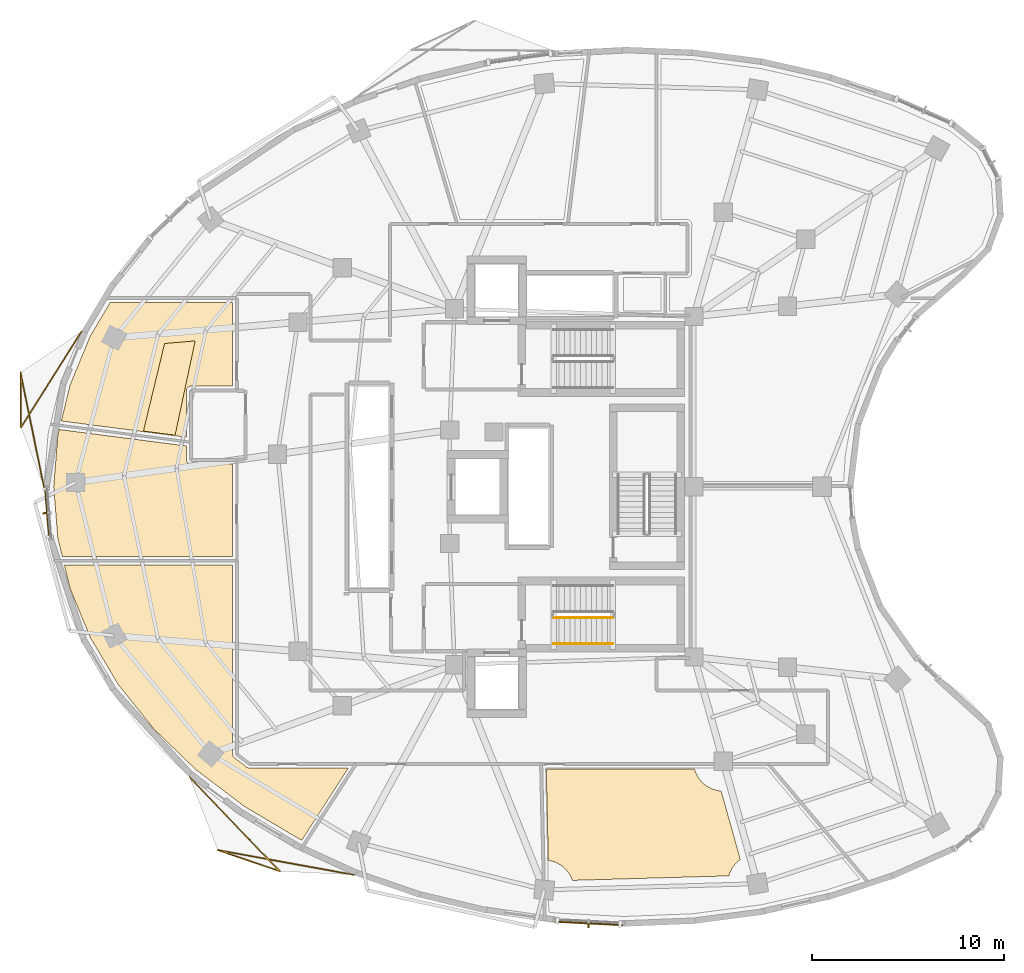
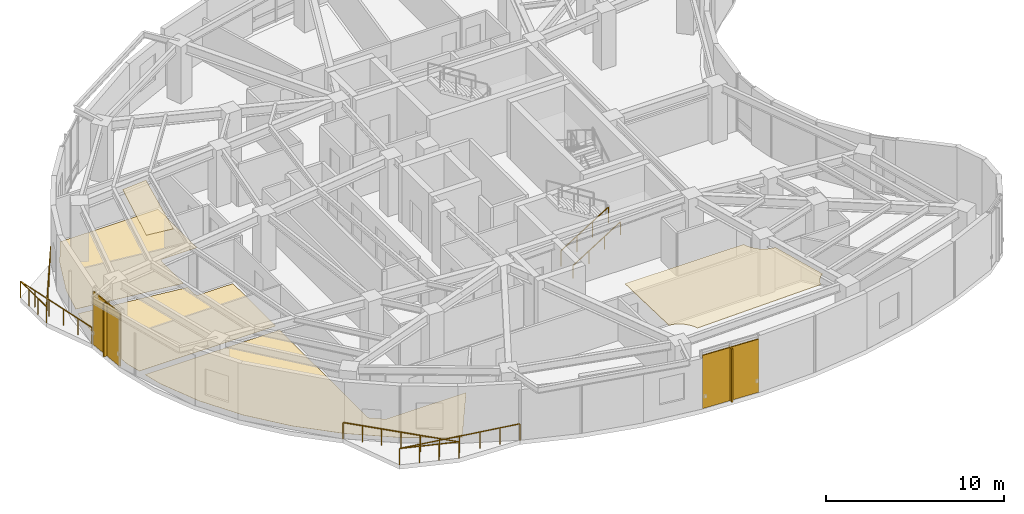
# One storey, part 13 of 15: 5 coverings, 4 railings, 4 shading devices.
"""IFC4 building model written with IfcOpenShell, lengths in metres."""

from ifc_helpers import new_model, si_unit, direction, frame, origin, origin_2d, place, context, subcontext, project, spatial, polyline, rectangle, outline, extrude, material, layer, layer_set, type_object, element, save


model = new_model("IFC4")

# Units and contexts
model_context = context("Model", 3, precision=1e-05, world=origin(), true_north=direction((0.0, 1.0)))
body_context = subcontext(model_context, "Body", "Model", "MODEL_VIEW")
ifc_project = project(units=[si_unit("LENGTHUNIT", "METRE"), si_unit("AREAUNIT", "SQUARE_METRE"), si_unit("VOLUMEUNIT", "CUBIC_METRE"), si_unit("PLANEANGLEUNIT", "RADIAN"), si_unit("MASSUNIT", "GRAM", prefix="KILO")], contexts=[model_context])

# Site, building, storey
site_placement = place(None, origin())
site = spatial("IfcSite", under=ifc_project, at=site_placement, CompositionType="ELEMENT")
building_placement = place(site_placement, origin())
building = spatial("IfcBuilding", under=site, at=building_placement, Name="Korentha Bioscience Tower", CompositionType="ELEMENT")
storey_placement = place(building_placement, frame((0.0, 0.0, 222.60009765625)))
storey = spatial("IfcBuildingStorey", under=building, at=storey_placement, Name="L51", CompositionType="ELEMENT", Elevation=222.60009765625)

# Railings
ifc_material_1 = material(Name="Stainless Steel 304", Category="steel")
railing_type_1 = type_object("IfcRailingType", Name="Brushed Stainless Stair Handrail 900", PredefinedType="HANDRAIL", material=ifc_material_1)
railing_1_placement = place(storey_placement, frame((30.25, 18.85009765625, 0.1748046875)))
element("IfcRailing", 1, at=railing_1_placement, inside=storey, type_object=railing_type_1, Name="L51 ST-2 stair handrail 1", PredefinedType="HANDRAIL", context=body_context, shape_type="SweptSolid", body=[
    extrude(rectangle(XDim=0.048095703125, YDim=0.048095703125, at=origin_2d()), frame((0.0, 0.0, 0.8759765625), z_axis=(0.847998304005, 0.0, 0.529998940003), x_axis=(0.0, 1.0, 0.0)), (0.0, 0.0, 1.0), 3.632080078125),
    extrude(rectangle(XDim=0.0419921875, YDim=0.0419921875, at=origin_2d()), origin(), (0.0, 0.0, 1.0), 0.851806640625),
    extrude(rectangle(XDim=0.0419921875, YDim=0.0419921875, at=origin_2d()), frame((1.026611328125, 0.0, 0.6416015625)), (0.0, 0.0, 1.0), 0.851806640625),
    extrude(rectangle(XDim=0.0419921875, YDim=0.0419921875, at=origin_2d()), frame((2.053466796875, 0.0, 1.283447265625)), (0.0, 0.0, 1.0), 0.851806640625),
    extrude(rectangle(XDim=0.0419921875, YDim=0.0419921875, at=origin_2d()), frame((3.080078125, 0.0, 1.925048828125)), (0.0, 0.0, 1.0), 0.851806640625),
])
ifc_material_2 = material(Name="Laminated Tempered Safety Glass", Category="glass")
railing_type_2 = type_object("IfcRailingType", Name="Laminated Glass Balcony Guardrail 1150", PredefinedType="BALUSTRADE", material=ifc_material_2)
railing_2_placement = place(storey_placement, frame((5.711181640625, 35.0625, 0.0)))
element("IfcRailing", 2, at=railing_2_placement, inside=storey, type_object=railing_type_2, Name="L51 Balcony Guardrail 02", PredefinedType="BALUSTRADE", context=body_context, shape_type="SweptSolid", body=[
    extrude(rectangle(XDim=0.048095703125, YDim=0.048095703125, at=origin_2d()), frame((0.0, 0.0, 1.1259765625), z_axis=(-0.533819879904, -0.845598211812, 0.0), x_axis=(0.845598211812, -0.533819879904, 0.0)), (0.0, 0.0, 1.0), 5.89013671875),
    extrude(rectangle(XDim=0.048095703125, YDim=0.048095703125, at=origin_2d()), frame((-3.144287109375, -4.980712890625, 1.1259765625), z_axis=(-0.008946472209, 0.999959979517, 0.0), x_axis=(-0.999959979517, -0.008946472209, 0.0)), (0.0, 0.0, 1.0), 2.865234375),
    extrude(rectangle(XDim=0.048095703125, YDim=0.048095703125, at=origin_2d()), frame((-3.169921875, -2.115478515625, 1.1259765625), z_axis=(0.200298844151, -0.97973484833, 0.0), x_axis=(0.97973484833, 0.200298844151, 0.0)), (0.0, 0.0, 1.0), 6.070068359375),
    extrude(rectangle(XDim=0.0419921875, YDim=0.0419921875, at=origin_2d()), origin(), (0.0, 0.0, 1.0), 1.101806640625),
    extrude(rectangle(XDim=0.0419921875, YDim=0.0419921875, at=origin_2d()), frame((-0.62890625, -0.99609375, 0.0)), (0.0, 0.0, 1.0), 1.101806640625),
    extrude(rectangle(XDim=0.0419921875, YDim=0.0419921875, at=origin_2d()), frame((-1.2578125, -1.9921875, 0.0)), (0.0, 0.0, 1.0), 1.101806640625),
    extrude(rectangle(XDim=0.0419921875, YDim=0.0419921875, at=origin_2d()), frame((-1.886474609375, -2.988525390625, 0.0)), (0.0, 0.0, 1.0), 1.101806640625),
    extrude(rectangle(XDim=0.0419921875, YDim=0.0419921875, at=origin_2d()), frame((-2.515380859375, -3.984619140625, 0.0)), (0.0, 0.0, 1.0), 1.101806640625),
    extrude(rectangle(XDim=0.0419921875, YDim=0.0419921875, at=origin_2d()), frame((-3.144287109375, -4.980712890625, 0.0)), (0.0, 0.0, 1.0), 1.101806640625),
    extrude(rectangle(XDim=0.0419921875, YDim=0.0419921875, at=origin_2d()), frame((-3.15283203125, -4.025634765625, 0.0)), (0.0, 0.0, 1.0), 1.101806640625),
    extrude(rectangle(XDim=0.0419921875, YDim=0.0419921875, at=origin_2d()), frame((-3.161376953125, -3.070556640625, 0.0)), (0.0, 0.0, 1.0), 1.101806640625),
    extrude(rectangle(XDim=0.0419921875, YDim=0.0419921875, at=origin_2d()), frame((-3.169921875, -2.115478515625, 0.0)), (0.0, 0.0, 1.0), 1.101806640625),
    extrude(rectangle(XDim=0.0419921875, YDim=0.0419921875, at=origin_2d()), frame((-2.9267578125, -3.304931640625, 0.0)), (0.0, 0.0, 1.0), 1.101806640625),
    extrude(rectangle(XDim=0.0419921875, YDim=0.0419921875, at=origin_2d()), frame((-2.68359375, -4.494384765625, 0.0)), (0.0, 0.0, 1.0), 1.101806640625),
    extrude(rectangle(XDim=0.0419921875, YDim=0.0419921875, at=origin_2d()), frame((-2.4404296875, -5.68359375, 0.0)), (0.0, 0.0, 1.0), 1.101806640625),
    extrude(rectangle(XDim=0.0419921875, YDim=0.0419921875, at=origin_2d()), frame((-2.197265625, -6.873046875, 0.0)), (0.0, 0.0, 1.0), 1.101806640625),
    extrude(rectangle(XDim=0.0419921875, YDim=0.0419921875, at=origin_2d()), frame((-1.9541015625, -8.0625, 0.0)), (0.0, 0.0, 1.0), 1.101806640625),
])
railing_3_placement = place(storey_placement, frame((11.322509765625, 11.912353515625, 0.0)))
element("IfcRailing", 3, at=railing_3_placement, inside=storey, type_object=railing_type_2, Name="L51 Balcony Guardrail 03", PredefinedType="BALUSTRADE", context=body_context, shape_type="SweptSolid", body=[
    extrude(rectangle(XDim=0.048095703125, YDim=0.048095703125, at=origin_2d()), frame((0.0, 0.0, 1.1259765625), z_axis=(0.691788854958, -0.72209984085, 0.0), x_axis=(0.72209984085, 0.691788854958, 0.0)), (0.0, 0.0, 1.0), 6.781982421875),
    extrude(rectangle(XDim=0.048095703125, YDim=0.048095703125, at=origin_2d()), frame((4.691650390625, -4.897216796875, 1.1259765625), z_axis=(-0.946245473075, 0.323449385043, 0.0), x_axis=(-0.323449385043, -0.946245473075, 0.0)), (0.0, 0.0, 1.0), 3.4033203125),
    extrude(rectangle(XDim=0.048095703125, YDim=0.048095703125, at=origin_2d()), frame((1.47119140625, -3.79638671875, 1.1259765625), z_axis=(0.983857413842, -0.178954153986, 0.0), x_axis=(0.178954153986, 0.983857413842, 0.0)), (0.0, 0.0, 1.0), 7.19091796875),
    extrude(rectangle(XDim=0.0419921875, YDim=0.0419921875, at=origin_2d()), origin(), (0.0, 0.0, 1.0), 1.101806640625),
    extrude(rectangle(XDim=0.0419921875, YDim=0.0419921875, at=origin_2d()), frame((0.781982421875, -0.816162109375, 0.0)), (0.0, 0.0, 1.0), 1.101806640625),
    extrude(rectangle(XDim=0.0419921875, YDim=0.0419921875, at=origin_2d()), frame((1.56396484375, -1.63232421875, 0.0)), (0.0, 0.0, 1.0), 1.101806640625),
    extrude(rectangle(XDim=0.0419921875, YDim=0.0419921875, at=origin_2d()), frame((2.345703125, -2.44873046875, 0.0)), (0.0, 0.0, 1.0), 1.101806640625),
    extrude(rectangle(XDim=0.0419921875, YDim=0.0419921875, at=origin_2d()), frame((3.127685546875, -3.264892578125, 0.0)), (0.0, 0.0, 1.0), 1.101806640625),
    extrude(rectangle(XDim=0.0419921875, YDim=0.0419921875, at=origin_2d()), frame((3.90966796875, -4.0810546875, 0.0)), (0.0, 0.0, 1.0), 1.101806640625),
    extrude(rectangle(XDim=0.0419921875, YDim=0.0419921875, at=origin_2d()), frame((4.691650390625, -4.897216796875, 0.0)), (0.0, 0.0, 1.0), 1.101806640625),
    extrude(rectangle(XDim=0.0419921875, YDim=0.0419921875, at=origin_2d()), frame((3.6181640625, -4.5302734375, 0.0)), (0.0, 0.0, 1.0), 1.101806640625),
    extrude(rectangle(XDim=0.0419921875, YDim=0.0419921875, at=origin_2d()), frame((2.544677734375, -4.163330078125, 0.0)), (0.0, 0.0, 1.0), 1.101806640625),
    extrude(rectangle(XDim=0.0419921875, YDim=0.0419921875, at=origin_2d()), frame((1.47119140625, -3.79638671875, 0.0)), (0.0, 0.0, 1.0), 1.101806640625),
    extrude(rectangle(XDim=0.0419921875, YDim=0.0419921875, at=origin_2d()), frame((2.650390625, -4.0107421875, 0.0)), (0.0, 0.0, 1.0), 1.101806640625),
    extrude(rectangle(XDim=0.0419921875, YDim=0.0419921875, at=origin_2d()), frame((3.82958984375, -4.225341796875, 0.0)), (0.0, 0.0, 1.0), 1.101806640625),
    extrude(rectangle(XDim=0.0419921875, YDim=0.0419921875, at=origin_2d()), frame((5.0087890625, -4.43994140625, 0.0)), (0.0, 0.0, 1.0), 1.101806640625),
    extrude(rectangle(XDim=0.0419921875, YDim=0.0419921875, at=origin_2d()), frame((6.187744140625, -4.654296875, 0.0)), (0.0, 0.0, 1.0), 1.101806640625),
    extrude(rectangle(XDim=0.0419921875, YDim=0.0419921875, at=origin_2d()), frame((7.366943359375, -4.86865234375, 0.0)), (0.0, 0.0, 1.0), 1.101806640625),
    extrude(rectangle(XDim=0.0419921875, YDim=0.0419921875, at=origin_2d()), frame((8.546142578125, -5.083251953125, 0.0)), (0.0, 0.0, 1.0), 1.101806640625),
])

# Coverings
ifc_material_3 = material(Name="Antimicrobial Mineral Fibre Board", Category="gypsum")
ifc_layer_1 = layer(ifc_material_3, 0.034912109375, Name="Antimicrobial Mineral Fibre Board")
ifc_layer_set_1 = layer_set([ifc_layer_1], Name="Antimicrobial Mineral Fibre Board (CL-MF35)")
covering_type_1 = type_object("IfcCoveringType", Name="Mineral-Fibre Cleanroom Suspended Ceiling 35", PredefinedType="CEILING", material=ifc_layer_set_1)
covering_1_placement = place(storey_placement, frame((0.0, 0.0, 3.864990234375)))
element("IfcCovering", 4, at=covering_1_placement, inside=storey, type_object=covering_type_1, Name="L51 Sterile Media Preparation Kitchen 05 Acoustic Ceiling", PredefinedType="CEILING", context=body_context, shape_type="SweptSolid", body=[
    extrude(outline(polyline([(39.953125, 7.632568359375), (39.7509765625, 7.464111328125), (39.55810546875, 7.22900390625), (39.414794921875, 6.961181640625), (39.352783203125, 6.774658203125), (31.2275390625, 6.540771484375), (31.126220703125, 6.779541015625), (31.048095703125, 6.909912109375), (30.855224609375, 7.144775390625), (30.74267578125, 7.2470703125), (30.620361328125, 7.337646484375), (30.3525390625, 7.480712890625), (30.209228515625, 7.531982421875), (29.97412109375, 7.58203125), (29.8671875, 12.340087890625), (37.568359375, 12.340087890625), (37.634521484375, 12.13720703125), (37.77783203125, 11.869140625), (37.970703125, 11.63427734375), (38.083251953125, 11.531982421875), (38.20556640625, 11.44140625), (38.473388671875, 11.29833984375), (38.76416015625, 11.210205078125), (38.958984375, 11.185546875), (39.953125, 7.632568359375)])), origin(), (0.0, 0.0, 1.0), 0.034912109375),
])
covering_2_placement = place(storey_placement, frame((0.0, 0.0, 3.864990234375)))
element("IfcCovering", 5, at=covering_2_placement, inside=storey, type_object=covering_type_1, Name="L51 Neurobiology Electrophysiology Lab 11 Acoustic Ceiling", PredefinedType="CEILING", context=body_context, shape_type="SweptSolid", body=[
    extrude(outline(polyline([(10.031982421875, 34.443359375), (11.621337890625, 34.578857421875), (10.577880859375, 29.6796875), (8.932861328125, 29.892578125), (10.031982421875, 34.443359375)])), origin(), (0.0, 0.0, 1.0), 0.034912109375),
])

# Railing
ifc_material_4 = material(Name="Painted Steel S275", Category="steel")
railing_type_3 = type_object("IfcRailingType", Name="Painted Steel Stair Well Guardrail 1100", PredefinedType="GUARDRAIL", material=ifc_material_4)
railing_4_placement = place(storey_placement, frame((30.25, 20.199951171875, 0.1748046875)))
element("IfcRailing", 6, at=railing_4_placement, inside=storey, type_object=railing_type_3, Name="L51 ST-2 stair guard 1", PredefinedType="GUARDRAIL", context=body_context, shape_type="SweptSolid", body=[
    extrude(rectangle(XDim=0.048095703125, YDim=0.048095703125, at=origin_2d()), frame((0.0, 0.0, 1.076171875), z_axis=(0.847998304005, 0.0, 0.529998940003), x_axis=(0.0, 1.0, 0.0)), (0.0, 0.0, 1.0), 3.632080078125),
    extrude(rectangle(XDim=0.0419921875, YDim=0.0419921875, at=origin_2d()), origin(), (0.0, 0.0, 1.0), 1.052001953125),
    extrude(rectangle(XDim=0.0419921875, YDim=0.0419921875, at=origin_2d()), frame((1.026611328125, 0.0, 0.6416015625)), (0.0, 0.0, 1.0), 1.052001953125),
    extrude(rectangle(XDim=0.0419921875, YDim=0.0419921875, at=origin_2d()), frame((2.053466796875, 0.0, 1.283447265625)), (0.0, 0.0, 1.0), 1.052001953125),
    extrude(rectangle(XDim=0.0419921875, YDim=0.0419921875, at=origin_2d()), frame((3.080078125, 0.0, 1.925048828125)), (0.0, 0.0, 1.0), 1.052001953125),
])

# Shading devices
ifc_material_5 = material(Name="Perforated Stone-Ceramic Composite", Category="masonry")
ifc_layer_2 = layer(ifc_material_5, 0.06494140625, Name="Perforated Stone-Ceramic Composite")
ifc_layer_set_2 = layer_set([ifc_layer_2], Name="Perforated Stone-Ceramic Composite (CS-01)")
shading_device_type_1 = type_object("IfcShadingDeviceType", Name="Perforated Stone-Ceramic Solar Screen Panel 65", PredefinedType="USERDEFINED", material=ifc_layer_set_2)
shading_device_1_placement = place(storey_placement, frame((3.926513671875, 25.634765625, 0.0), z_axis=(0.0, 0.0, 1.0), x_axis=(0.07974803224, -0.996815053736, 0.0)))
element("IfcShadingDevice", 7, at=shading_device_1_placement, inside=storey, type_object=shading_device_type_1, Name="CW-L51-19 Perforated Stone-Ceramic Solar Screen", ObjectType="SCREEN", PredefinedType="USERDEFINED", context=body_context, shape_type="SweptSolid", body=[
    extrude(rectangle(XDim=2.64892578125, YDim=0.06494140625, at=origin_2d()), origin(), (0.0, 0.0, 1.0), 3.64990234375),
])
shading_device_2_placement = place(storey_placement, frame((32.072998046875, 4.308837890625, 0.0), z_axis=(0.0, 0.0, 1.0), x_axis=(0.998695818107, -0.051055488397, 0.0)))
element("IfcShadingDevice", 8, at=shading_device_2_placement, inside=storey, type_object=shading_device_type_1, Name="CW-L51-31 Perforated Stone-Ceramic Solar Screen", ObjectType="SCREEN", PredefinedType="USERDEFINED", context=body_context, shape_type="SweptSolid", body=[
    extrude(rectangle(XDim=3.54541015625, YDim=0.06494140625, at=origin_2d()), origin(), (0.0, 0.0, 1.0), 3.64990234375),
])

# Coverings
ifc_material_6 = material(Name="Chemical-Resistant Epoxy Resin", Category="polymer")
ifc_layer_3 = layer(ifc_material_6, 0.011962890625, Name="Chemical-Resistant Epoxy Resin")
ifc_layer_set_3 = layer_set([ifc_layer_3], Name="Chemical-Resistant Epoxy Resin (FL-EPX)")
covering_type_2 = type_object("IfcCoveringType", Name="Seamless Epoxy Laboratory Flooring 12", PredefinedType="FLOORING", material=ifc_layer_set_3)
covering_3_placement = place(storey_placement, origin())
element("IfcCovering", 9, at=covering_3_placement, inside=storey, type_object=covering_type_2, Name="L51 Principal Investigator Office 01 Floor Finish", PredefinedType="FLOORING", context=body_context, shape_type="SweptSolid", body=[
    extrude(outline(polyline([(11.169921875, 29.119140625), (11.172607421875, 28.36572265625), (11.229248046875, 28.245849609375), (11.322021484375, 28.18359375), (11.39990234375, 28.169921875), (13.570068359375, 28.169921875), (13.570068359375, 23.3720703125), (4.71630859375, 23.3720703125), (4.4814453125, 24.3408203125), (4.2685546875, 27.0), (4.4814453125, 29.6591796875), (4.557861328125, 29.974609375), (11.169921875, 29.119140625)])), origin(), (0.0, 0.0, 1.0), 0.011962890625),
])
covering_4_placement = place(storey_placement, origin())
element("IfcCovering", 10, at=covering_4_placement, inside=storey, type_object=covering_type_2, Name="L51 Staff Pantry Kitchenette 03 Floor Finish", PredefinedType="FLOORING", context=body_context, shape_type="SweptSolid", body=[
    extrude(outline(polyline([(9.45947265625, 14.422607421875), (7.622314453125, 16.72265625), (6.168701171875, 19.166015625), (5.1171875, 21.717529296875), (4.8251953125, 22.922119140625), (13.570068359375, 22.922119140625), (13.570068359375, 13.09619140625), (13.605224609375, 12.9736328125), (13.6611328125, 12.912841796875), (14.3154296875, 12.416748046875), (14.423095703125, 12.372314453125), (19.5771484375, 12.3701171875), (17.16650390625, 8.633544921875), (16.992919921875, 8.71337890625), (14.17822265625, 10.387451171875), (11.655029296875, 12.30029296875), (9.45947265625, 14.422607421875)])), origin(), (0.0, 0.0, 1.0), 0.011962890625),
])
covering_5_placement = place(storey_placement, origin())
element("IfcCovering", 11, at=covering_5_placement, inside=storey, type_object=covering_type_2, Name="L51 Neurobiology Electrophysiology Lab 11 Floor Finish", PredefinedType="FLOORING", context=body_context, shape_type="SweptSolid", body=[
    extrude(outline(polyline([(7.20263671875, 36.572021484375), (13.570068359375, 36.572021484375), (13.570068359375, 32.22998046875), (11.38916015625, 32.229736328125), (11.302001953125, 32.2080078125), (11.229248046875, 32.154052734375), (11.18359375, 32.077880859375), (11.169921875, 32.0), (11.169921875, 29.57275390625), (4.664306640625, 30.414306640625), (5.1171875, 32.282470703125), (6.168701171875, 34.833740234375), (7.20263671875, 36.572021484375)])), origin(), (0.0, 0.0, 1.0), 0.011962890625),
])

# Shading devices
ifc_material_7 = material(Name="Honed Travertine Limestone", Category="masonry")
ifc_layer_4 = layer(ifc_material_7, 0.080078125, Name="Honed Travertine Limestone")
ifc_layer_set_4 = layer_set([ifc_layer_4], Name="Honed Travertine Limestone (CS-02)")
shading_device_type_2 = type_object("IfcShadingDeviceType", Name="Vertical Honed Limestone Sunshade Fin 80x420", PredefinedType="USERDEFINED", material=ifc_layer_set_4)
for number, where, z_axis, x_axis, name in (
    (12, (3.906494140625, 25.63330078125, 0.0), (0.0, 0.0, 1.0), (0.07974803224, -0.996815053736, 0.0), "CW-L51-19 Limestone Sunshade Fin"),
    (13, (32.072021484375, 4.2890625, 0.0), (0.0, 0.0, 1.0), (0.998695818107, -0.051055488397, 0.0), "CW-L51-31 Limestone Sunshade Fin"),
):
    element("IfcShadingDevice", number, at=place(storey_placement, frame(where, z_axis=z_axis, x_axis=x_axis)), inside=storey, type_object=shading_device_type_2, Name=name, ObjectType="SCREEN", PredefinedType="USERDEFINED", context=body_context, shape_type="SweptSolid", body=[
        extrude(rectangle(XDim=0.080078125, YDim=0.419921875, at=origin_2d()), origin(), (0.0, 0.0, 1.0), 3.64990234375),
    ])

save(model, "model.ifc")
